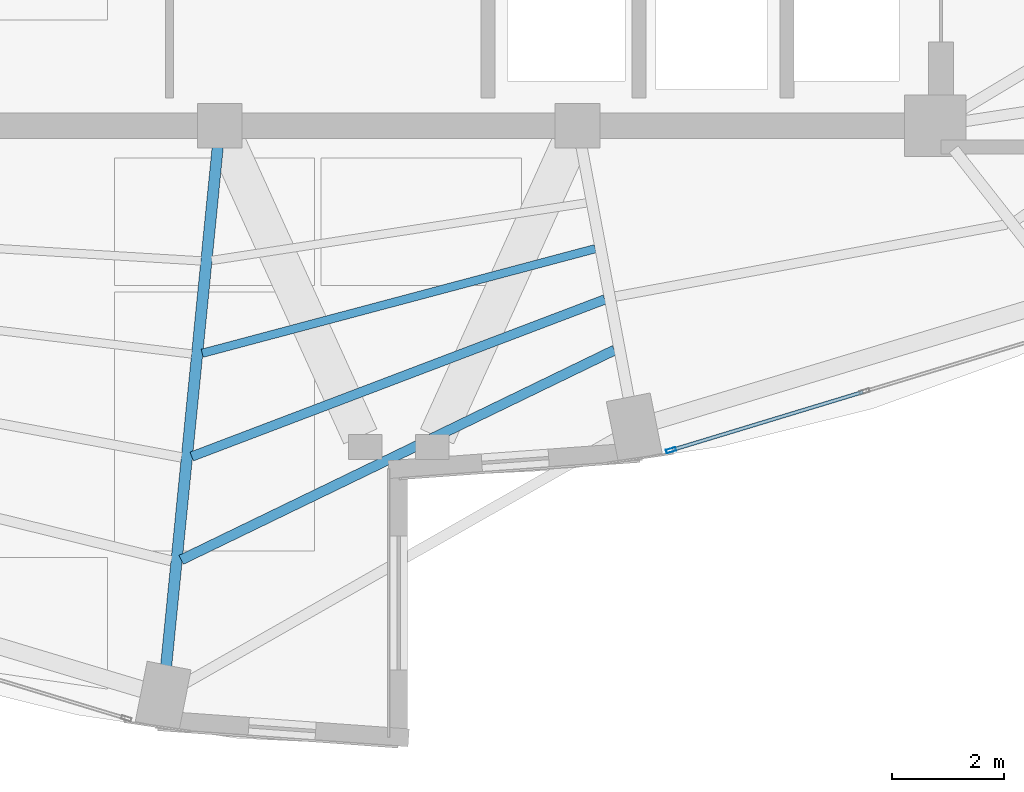
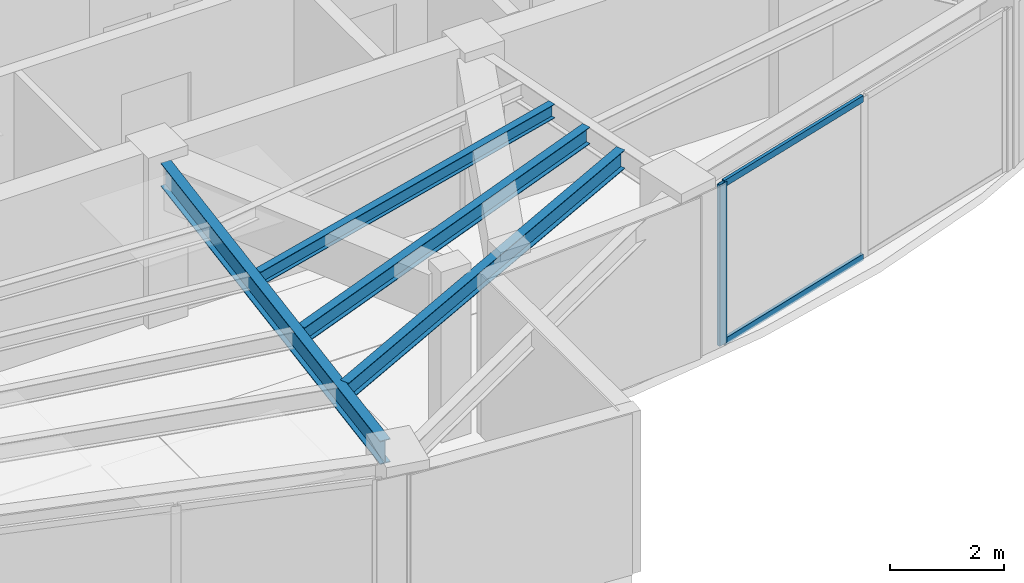
# One storey, part 6 of 23: 4 beams, 3 members, 1 element without a shape of its own.
"""IFC4 building model written with IfcOpenShell, lengths in metres."""

from ifc_helpers import new_model, si_unit, direction, frame, origin, origin_2d, place, context, subcontext, project, spatial, hollow_rectangle, i_section, extrude, material, layer, layer_set, material_profile, profile_set, type_object, element, aggregate, save


model = new_model("IFC4")

# Units and contexts
model_context = context("Model", 3, precision=1e-05, world=origin(), true_north=direction((0.0, 1.0)))
body_context = subcontext(model_context, "Body", "Model", "MODEL_VIEW")
ifc_project = project(units=[si_unit("LENGTHUNIT", "METRE"), si_unit("AREAUNIT", "SQUARE_METRE"), si_unit("VOLUMEUNIT", "CUBIC_METRE"), si_unit("PLANEANGLEUNIT", "RADIAN"), si_unit("MASSUNIT", "GRAM", prefix="KILO")], contexts=[model_context])

# Site, building, storey
site_placement = place(None, origin())
site = spatial("IfcSite", under=ifc_project, at=site_placement, CompositionType="ELEMENT")
building_placement = place(site_placement, origin())
building = spatial("IfcBuilding", under=site, at=building_placement, Name="Lazwardi Medical Tower", CompositionType="ELEMENT")
storey_placement = place(building_placement, frame((0.0, 0.0, 262.320068359375)))
storey = spatial("IfcBuildingStorey", under=building, at=storey_placement, Name="L68", CompositionType="ELEMENT", Elevation=262.320068359375)

# Beams
ifc_material_1 = material(Name="Steel S355", Category="steel")
ifc_material_profile_1 = material_profile(ifc_material_1, i_section(OverallWidth=0.199951171875, OverallDepth=0.5, WebThickness=0.01025390625, FlangeThickness=0.01611328125, at=origin_2d()), Name="IPE 500")
ifc_profile_set_1 = profile_set([ifc_material_profile_1], Name="Steel S355")
beam_type_1 = type_object("IfcBeamType", Name="BM-RG-W3", PredefinedType="BEAM", material=ifc_profile_set_1)
beam_1_placement = place(storey_placement, frame((31.8388671875, 10.734130859375, 3.197998046875), z_axis=(0.098954361922, 0.995091972763, 0.0), x_axis=(-0.995091972763, 0.098954361922, 0.0)))
element("IfcBeam", 1, at=beam_1_placement, inside=storey, type_object=beam_type_1, Name="Radial girder RG-04 R16 L68", PredefinedType="BEAM", context=body_context, shape_type="SweptSolid", body=[
    extrude(i_section(OverallWidth=0.199951171875, OverallDepth=0.5, WebThickness=0.01025390625, FlangeThickness=0.01611328125, at=origin_2d()), origin(), (0.0, 0.0, 1.0), 9.32861328125),
])
ifc_material_profile_2 = material_profile(ifc_material_1, i_section(OverallWidth=0.179931640625, OverallDepth=0.39990234375, WebThickness=0.008544921875, FlangeThickness=0.013427734375, at=origin_2d()), Name="IPE 400")
ifc_profile_set_2 = profile_set([ifc_material_profile_2], Name="Steel S355")
beam_type_2 = type_object("IfcBeamType", Name="BM-SJ-01", PredefinedType="JOIST", material=ifc_profile_set_2)
beam_2_placement = place(storey_placement, frame((32.10888671875, 12.632080078125, 3.248046875), z_axis=(0.900068885459, 0.435747635024, 0.0), x_axis=(-0.435747635024, 0.900068885459, 0.0)))
element("IfcBeam", 2, at=beam_2_placement, inside=storey, type_object=beam_type_2, Name="Secondary joist SJ-01 R1 B16 L68", PredefinedType="JOIST", context=body_context, shape_type="SweptSolid", body=[
    extrude(i_section(OverallWidth=0.179931640625, OverallDepth=0.39990234375, WebThickness=0.008544921875, FlangeThickness=0.013427734375, at=origin_2d()), origin(), (0.0, 0.0, 1.0), 8.612548828125),
])
ifc_material_profile_3 = material_profile(ifc_material_1, i_section(OverallWidth=0.169921875, OverallDepth=0.360107421875, WebThickness=0.008056640625, FlangeThickness=0.0126953125, at=origin_2d()), Name="IPE 360")
ifc_profile_set_3 = profile_set([ifc_material_profile_3], Name="Steel S355")
beam_type_3 = type_object("IfcBeamType", Name="BM-SJ-02", PredefinedType="JOIST", material=ifc_profile_set_3)
beam_3_placement = place(storey_placement, frame((32.296875, 14.48095703125, 3.267822265625), z_axis=(0.934714470268, 0.355399576633, 0.0), x_axis=(-0.355399576633, 0.934714470268, 0.0)))
element("IfcBeam", 3, at=beam_3_placement, inside=storey, type_object=beam_type_3, Name="Secondary joist SJ-02 R2 B16 L68", PredefinedType="JOIST", context=body_context, shape_type="SweptSolid", body=[
    extrude(i_section(OverallWidth=0.169921875, OverallDepth=0.360107421875, WebThickness=0.008056640625, FlangeThickness=0.0126953125, at=origin_2d()), origin(), (0.0, 0.0, 1.0), 7.908203125),
])
ifc_material_profile_4 = material_profile(ifc_material_1, i_section(OverallWidth=0.14990234375, OverallDepth=0.300048828125, WebThickness=0.007080078125, FlangeThickness=0.0107421875, at=origin_2d()), Name="IPE 300")
ifc_profile_set_4 = profile_set([ifc_material_profile_4], Name="Steel S355")
beam_type_4 = type_object("IfcBeamType", Name="BM-SJ-03", PredefinedType="JOIST", material=ifc_profile_set_4)
beam_4_placement = place(storey_placement, frame((32.484619140625, 16.328125, 3.2978515625), z_axis=(0.966369007826, 0.257159368316, 0.0), x_axis=(-0.257159368316, 0.966369007826, 0.0)))
element("IfcBeam", 4, at=beam_4_placement, inside=storey, type_object=beam_type_4, Name="Secondary joist SJ-03 R3 B16 L68", PredefinedType="JOIST", context=body_context, shape_type="SweptSolid", body=[
    extrude(i_section(OverallWidth=0.14990234375, OverallDepth=0.300048828125, WebThickness=0.007080078125, FlangeThickness=0.0107421875, at=origin_2d()), origin(), (0.0, 0.0, 1.0), 7.27685546875),
])

# Curtain wall, members
ifc_material_2 = material(Name="Anodised bronze aluminium and solar control glazing", Category="aluminium")
ifc_layer = layer(ifc_material_2, 0.18994140625)
ifc_layer_set = layer_set([ifc_layer], Name="Anodised bronze aluminium and solar control glazing")
curtain_wall_type = type_object("IfcCurtainWallType", Name="CW-SYS-04", PredefinedType="NOTDEFINED", material=ifc_layer_set)
curtain_wall_placement = place(storey_placement, origin())
curtain_wall = element("IfcCurtainWall", 5, at=curtain_wall_placement, inside=storey, type_object=curtain_wall_type, Name="L68 Unitised bronze curtain wall CW-04", PredefinedType="NOTDEFINED")
ifc_material_3 = material(Name="Anodised bronze aluminium", Category="aluminium")
ifc_material_profile_5 = material_profile(ifc_material_3, hollow_rectangle(XDim=0.06494140625, YDim=0.179931640625, WallThickness=0.00390625, at=origin_2d()), Name="ALU-MULLION 180x65x4")
ifc_profile_set_5 = profile_set([ifc_material_profile_5], Name="Anodised bronze aluminium")
member_type_1 = type_object("IfcMemberType", Name="CW-MUL-03", PredefinedType="MULLION", material=ifc_profile_set_5)
member_1_placement = place(storey_placement, frame((40.873046875, 14.593017578125, 0.0), z_axis=(0.0, 0.0, 1.0), x_axis=(-0.290581889515, 0.956850126972, 0.0)))
member_1 = element("IfcMember", 6, at=member_1_placement, type_object=member_type_1, Name="CW-04 mullion 1", PredefinedType="MULLION", context=body_context, shape_type="SweptSolid", body=[
    extrude(hollow_rectangle(XDim=0.06494140625, YDim=0.179931640625, WallThickness=0.00390625, at=origin_2d()), origin(), (0.0, 0.0, 1.0), 3.447998046875),
])
ifc_material_profile_6 = material_profile(ifc_material_3, hollow_rectangle(XDim=0.06494140625, YDim=0.139892578125, WallThickness=0.00341796875, at=origin_2d()), Name="ALU-TRANSOM 140x65x3.5")
ifc_profile_set_6 = profile_set([ifc_material_profile_6], Name="Anodised bronze aluminium")
member_type_2 = type_object("IfcMemberType", Name="CW-TRN-03", PredefinedType="USERDEFINED", material=ifc_profile_set_6)
member_2_placement = place(storey_placement, frame((40.904296875, 14.602294921875, 0.032470703125), z_axis=(0.956843409009, 0.290604010015, 0.0), x_axis=(-0.290604010015, 0.956843409009, 0.0)))
member_2 = element("IfcMember", 7, at=member_2_placement, type_object=member_type_2, Name="CW-04 transom 1.1", ObjectType="TRANSOM", PredefinedType="USERDEFINED", context=body_context, shape_type="SweptSolid", body=[
    extrude(hollow_rectangle(XDim=0.06494140625, YDim=0.139892578125, WallThickness=0.00341796875, at=origin_2d()), origin(), (0.0, 0.0, 1.0), 3.554443359375),
])
member_3_placement = place(storey_placement, frame((40.904296875, 14.602294921875, 3.41552734375), z_axis=(0.956843409009, 0.290604010015, 0.0), x_axis=(-0.290604010015, 0.956843409009, 0.0)))
member_3 = element("IfcMember", 8, at=member_3_placement, type_object=member_type_2, Name="CW-04 transom 1.2", ObjectType="TRANSOM", PredefinedType="USERDEFINED", context=body_context, shape_type="SweptSolid", body=[
    extrude(hollow_rectangle(XDim=0.06494140625, YDim=0.139892578125, WallThickness=0.00341796875, at=origin_2d()), origin(), (0.0, 0.0, 1.0), 3.554443359375),
])
aggregate(curtain_wall, [member_1, member_2, member_3])

save(model, "model.ifc")
